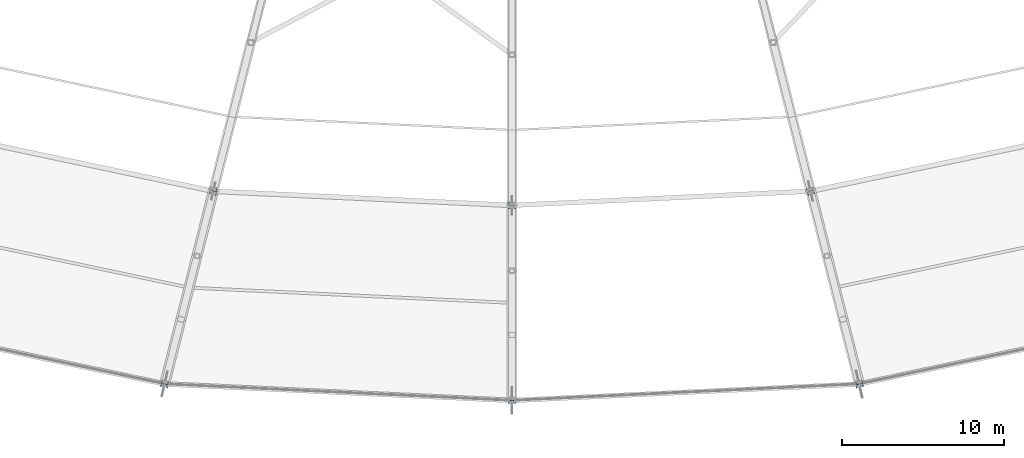
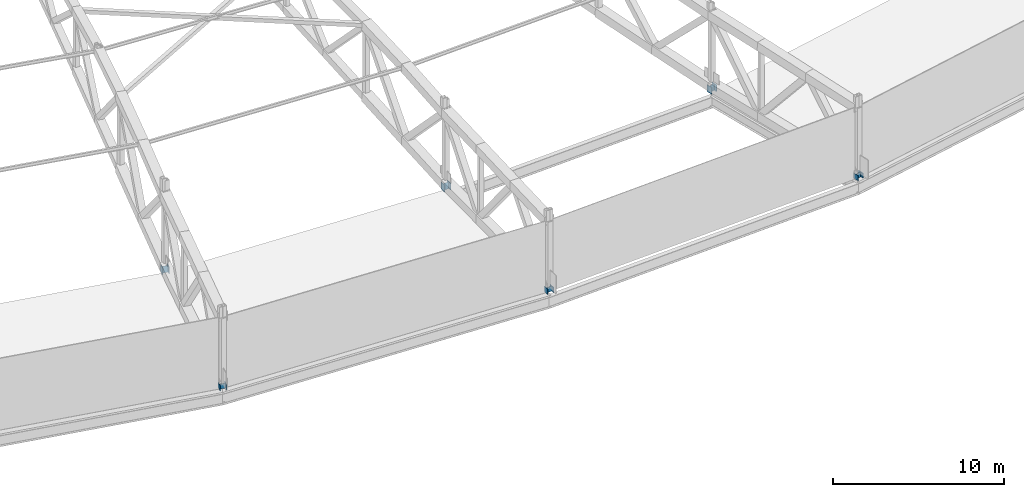
# One storey, part 7 of 162: 6 columns.
"""IFC4 building model written with IfcOpenShell, lengths in metres."""

from ifc_helpers import new_model, si_unit, direction, frame, origin, origin_2d, place, context, subcontext, project, spatial, i_section, extrude, material, material_profile, profile_set, type_object, element, save


model = new_model("IFC4")

# Units and contexts
model_context = context("Model", 3, precision=1e-05, world=origin(), true_north=direction((0.0, 1.0)))
body_context = subcontext(model_context, "Body", "Model", "MODEL_VIEW")
ifc_project = project(units=[si_unit("LENGTHUNIT", "METRE"), si_unit("AREAUNIT", "SQUARE_METRE"), si_unit("VOLUMEUNIT", "CUBIC_METRE"), si_unit("PLANEANGLEUNIT", "RADIAN"), si_unit("MASSUNIT", "GRAM", prefix="KILO")], contexts=[model_context])

# Site, building, storey
site_placement = place(None, origin())
site = spatial("IfcSite", under=ifc_project, at=site_placement, CompositionType="ELEMENT")
building_placement = place(site_placement, origin())
building = spatial("IfcBuilding", under=site, at=building_placement, Name="Kazemori Nagisa Stadium", CompositionType="ELEMENT")
storey_placement = place(building_placement, frame((0.0, 0.0, 36.719970703125)))
storey = spatial("IfcBuildingStorey", under=building, at=storey_placement, Name="RF", CompositionType="ELEMENT", Elevation=36.719970703125)

# Columns
ifc_material = material(Name="Steel SN490B", Category="steel")
ifc_material_profile = material_profile(ifc_material, i_section(OverallWidth=0.406982421875, OverallDepth=0.427978515625, WebThickness=0.02001953125, FlangeThickness=0.034912109375, FilletRadius=0.012939453125, at=origin_2d()), Name="H-428x407x20x35")
ifc_profile_set = profile_set([ifc_material_profile], Name="Steel SN490B")
column_type = type_object("IfcColumnType", Name="Column_C-H428", PredefinedType="COLUMN", material=ifc_profile_set)
column_1_placement = place(storey_placement, frame((101.572265625, 17.01318359375, 0.0), z_axis=(0.0, 0.0, 1.0), x_axis=(-0.222520933954, -0.974927912182, 0.0)))
element("IfcColumn", 1, at=column_1_placement, inside=storey, type_object=column_type, Name="Roof truss bearing pedestal R3-21", PredefinedType="COLUMN", context=body_context, shape_type="SweptSolid", body=[
    extrude(i_section(OverallWidth=0.406982421875, OverallDepth=0.427978515625, WebThickness=0.02001953125, FlangeThickness=0.034912109375, FilletRadius=0.012939453125, at=origin_2d()), origin(), (0.0, 0.0, 1.0), 0.360107421875),
])
column_2_placement = place(storey_placement, frame((104.572265625, 28.911376953125, 0.0), z_axis=(0.0, 0.0, 1.0), x_axis=(-0.222520933954, -0.974927912182, 0.0)))
element("IfcColumn", 2, at=column_2_placement, inside=storey, type_object=column_type, Name="Roof truss bearing pedestal R2-21", PredefinedType="COLUMN", context=body_context, shape_type="SweptSolid", body=[
    extrude(i_section(OverallWidth=0.406982421875, OverallDepth=0.427978515625, WebThickness=0.02001953125, FlangeThickness=0.034912109375, FilletRadius=0.012939453125, at=origin_2d()), origin(), (0.0, 0.0, 1.0), 0.47998046875),
])
column_3_placement = place(storey_placement, frame((123.0, 16.0, 0.0), z_axis=(0.0, 0.0, 1.0), x_axis=(0.0, -1.0, 0.0)))
element("IfcColumn", 3, at=column_3_placement, inside=storey, type_object=column_type, Name="Roof truss bearing pedestal R3-22", PredefinedType="COLUMN", context=body_context, shape_type="SweptSolid", body=[
    extrude(i_section(OverallWidth=0.406982421875, OverallDepth=0.427978515625, WebThickness=0.02001953125, FlangeThickness=0.034912109375, FilletRadius=0.012939453125, at=origin_2d()), origin(), (0.0, 0.0, 1.0), 0.360107421875),
])
column_4_placement = place(storey_placement, frame((123.0, 28.0400390625, 0.0), z_axis=(0.0, 0.0, 1.0), x_axis=(0.0, -1.0, 0.0)))
element("IfcColumn", 4, at=column_4_placement, inside=storey, type_object=column_type, Name="Roof truss bearing pedestal R2-22", PredefinedType="COLUMN", context=body_context, shape_type="SweptSolid", body=[
    extrude(i_section(OverallWidth=0.406982421875, OverallDepth=0.427978515625, WebThickness=0.02001953125, FlangeThickness=0.034912109375, FilletRadius=0.012939453125, at=origin_2d()), origin(), (0.0, 0.0, 1.0), 0.47998046875),
])
column_5_placement = place(storey_placement, frame((144.427734375, 17.01318359375, 0.0), z_axis=(0.0, 0.0, 1.0), x_axis=(0.222520933954, -0.974927912182, 0.0)))
element("IfcColumn", 5, at=column_5_placement, inside=storey, type_object=column_type, Name="Roof truss bearing pedestal R3-23", PredefinedType="COLUMN", context=body_context, shape_type="SweptSolid", body=[
    extrude(i_section(OverallWidth=0.406982421875, OverallDepth=0.427978515625, WebThickness=0.02001953125, FlangeThickness=0.034912109375, FilletRadius=0.012939453125, at=origin_2d()), origin(), (0.0, 0.0, 1.0), 0.360107421875),
])
column_6_placement = place(storey_placement, frame((141.427734375, 28.911376953125, 0.0), z_axis=(0.0, 0.0, 1.0), x_axis=(0.222520933954, -0.974927912182, 0.0)))
element("IfcColumn", 6, at=column_6_placement, inside=storey, type_object=column_type, Name="Roof truss bearing pedestal R2-23", PredefinedType="COLUMN", context=body_context, shape_type="SweptSolid", body=[
    extrude(i_section(OverallWidth=0.406982421875, OverallDepth=0.427978515625, WebThickness=0.02001953125, FlangeThickness=0.034912109375, FilletRadius=0.012939453125, at=origin_2d()), origin(), (0.0, 0.0, 1.0), 0.47998046875),
])

save(model, "model.ifc")
